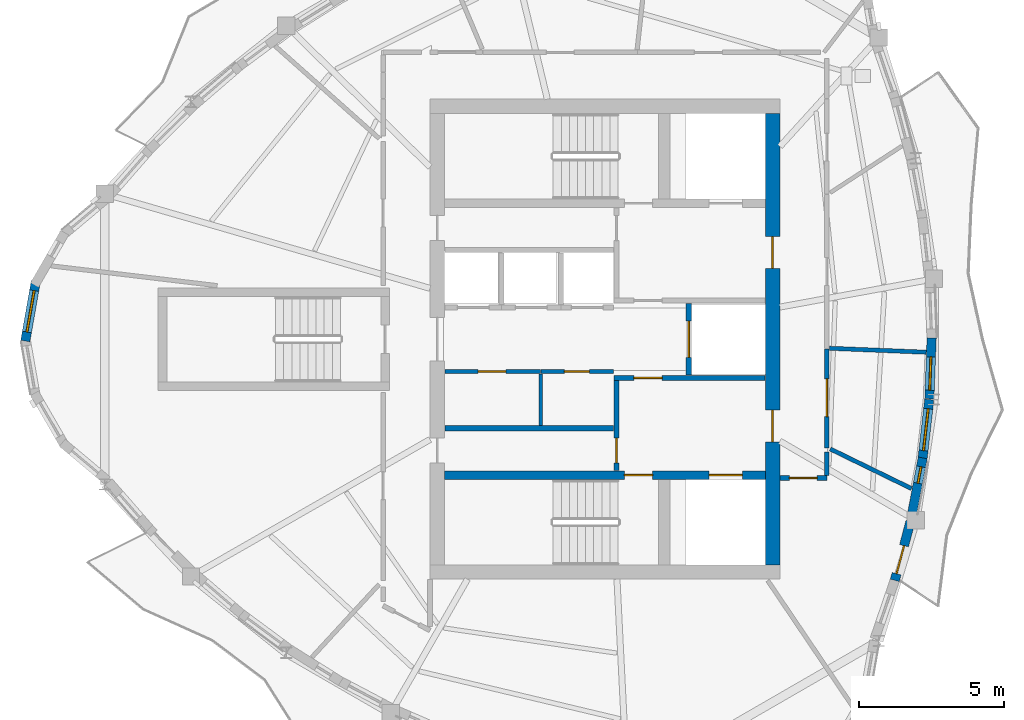
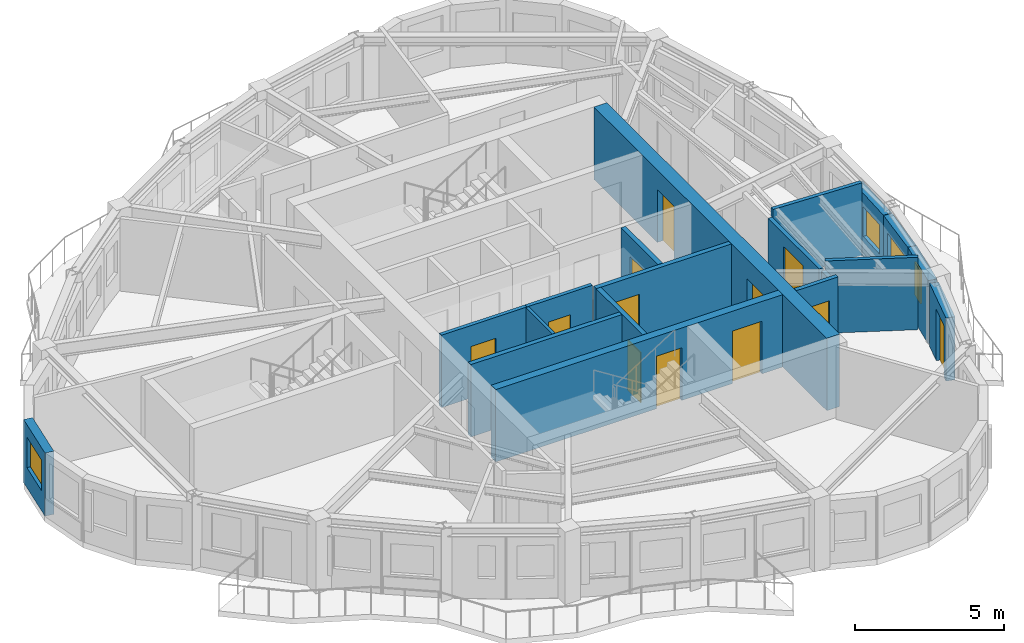
# One storey, part 4 of 11: 19 walls, 12 doors, 4 windows, 16 openings.
"""IFC4 building model written with IfcOpenShell, lengths in metres."""

from ifc_helpers import new_model, si_unit, direction, frame, frame_2d, origin, place, context, subcontext, project, spatial, rectangle, extrude, source, transform, mapped, material, layer, layer_set, type_object, element, fill, save


model = new_model("IFC4")

# Units and contexts
model_context = context("Model", 3, precision=1e-05, world=origin(), true_north=direction((0.0, 1.0)))
body_context = subcontext(model_context, "Body", "Model", "MODEL_VIEW")
ifc_project = project(units=[si_unit("LENGTHUNIT", "METRE"), si_unit("AREAUNIT", "SQUARE_METRE"), si_unit("VOLUMEUNIT", "CUBIC_METRE"), si_unit("PLANEANGLEUNIT", "RADIAN"), si_unit("MASSUNIT", "GRAM", prefix="KILO")], contexts=[model_context])

# Site, building, storey
site_placement = place(None, origin())
site = spatial("IfcSite", under=ifc_project, at=site_placement, CompositionType="ELEMENT")
building_placement = place(site_placement, origin())
building = spatial("IfcBuilding", under=site, at=building_placement, Name="Qafzar Sky-Pleat Residences", CompositionType="ELEMENT")
storey_placement = place(building_placement, frame((0.0, 0.0, 227.60009765625)))
storey = spatial("IfcBuildingStorey", under=building, at=storey_placement, Name="L68", CompositionType="ELEMENT", Elevation=227.60009765625)

# Wall, opening, door
ifc_material_1 = material(Name="Acoustic gypsum plasterboard partition", Category="gypsum")
ifc_layer_1 = layer(ifc_material_1, 0.159912109375)
ifc_layer_set_1 = layer_set([ifc_layer_1], Name="Acoustic gypsum plasterboard partition")
wall_type_1 = type_object("IfcWallType", Name="PART-COR-160", PredefinedType="PARTITIONING", material=ifc_layer_set_1)
wall_1_placement = place(storey_placement, frame((38.02001953125, 25.658935546875, 0.0), z_axis=(0.0, 0.0, 1.0), x_axis=(0.0, -1.0, 0.0)))
wall_1 = element("IfcWall", 1, at=wall_1_placement, inside=storey, type_object=wall_type_1, Name="L68 Partition Wall PART-L68-PW-006", PredefinedType="PARTITIONING", context=body_context, shape_type="SweptSolid", body=[
    extrude(rectangle(XDim=3.413818359375, YDim=0.159912109375, at=frame_2d((1.70703125, 0.0))), origin(), (0.0, 0.0, 1.0), 2.6279296875),
])
opening_1_placement = place(wall_1_placement, frame((1.033447265625, 0.0, 0.0)))
opening_1 = element("IfcOpeningElement", 2, at=opening_1_placement, cuts=wall_1, Name="Opening ID-05", PredefinedType="OPENING", context=body_context, shape_type="SweptSolid", body=[
    extrude(rectangle(XDim=1.300048828125, YDim=2.10009765625, at=frame_2d((0.64990234375, 1.050048828125))), frame((0.0, 0.08984375, 0.0), z_axis=(0.0, -1.0, 0.0), x_axis=(1.0, 0.0, 0.0)), (0.0, 0.0, 1.0), 0.179931640625),
])
ifc_material_2 = material(Name="Timber-faced fire door", Category="wood")
door_type_1 = type_object("IfcDoorType", Name="DR-LNG-1300", OperationType="DOUBLE_DOOR_SINGLE_SWING", PredefinedType="DOOR", material=ifc_material_2)
shared_shape_1 = source(origin(), body_context, "Body", "SweptSolid", [
    extrude(rectangle(XDim=1.300048828125, YDim=2.10009765625, at=frame_2d((0.64990234375, 1.050048828125))), frame((0.0, 0.02490234375, 0.0), z_axis=(0.0, -1.0, 0.0), x_axis=(1.0, 0.0, 0.0)), (0.0, 0.0, 1.0), 0.050048828125),
])
door_1_placement = place(opening_1_placement, origin())
door_1 = element("IfcDoor", 3, at=door_1_placement, inside=storey, type_object=door_type_1, Name="L68 Communal Kitchen Door", OperationType="DOUBLE_DOOR_SINGLE_SWING", OverallHeight=2.10009765625, OverallWidth=1.300048828125, PredefinedType="DOOR", context=body_context, shape_type="MappedRepresentation", body=[
    mapped(shared_shape_1, transform((0.0, 0.0, 0.0), x_axis=(1.0, 0.0, 0.0), y_axis=(0.0, 1.0, 0.0), z_axis=(0.0, 0.0, 1.0), scale=1.0)),
])
fill(opening_1, door_1)

wall_2_placement = place(storey_placement, frame((38.02001953125, 21.199951171875, 0.0), z_axis=(0.0, 0.0, 1.0), x_axis=(-1.0, 0.0, 0.0)))
wall_2 = element("IfcWall", 4, at=wall_2_placement, inside=storey, type_object=wall_type_1, Name="L68 Partition Wall PART-L68-PW-010", PredefinedType="PARTITIONING", context=body_context, shape_type="SweptSolid", body=[
    extrude(rectangle(XDim=1.612060546875, YDim=0.159912109375, at=frame_2d((0.80615234375, 0.0))), origin(), (0.0, 0.0, 1.0), 2.9599609375),
])
opening_2_placement = place(wall_2_placement, frame((0.330078125, 0.0, 0.0)))
opening_2 = element("IfcOpeningElement", 5, at=opening_2_placement, cuts=wall_2, Name="Opening ID-06", PredefinedType="OPENING", context=body_context, shape_type="SweptSolid", body=[
    extrude(rectangle(XDim=0.9599609375, YDim=2.10009765625, at=frame_2d((0.47998046875, 1.050048828125))), frame((0.0, 0.08984375, 0.0), z_axis=(0.0, -1.0, 0.0), x_axis=(1.0, 0.0, 0.0)), (0.0, 0.0, 1.0), 0.179931640625),
])
door_type_2 = type_object("IfcDoorType", Name="DR-STD-960", OperationType="NOTDEFINED", PredefinedType="DOOR", material=ifc_material_2)
shared_shape_2 = source(origin(), body_context, "Body", "SweptSolid", [
    extrude(rectangle(XDim=0.9599609375, YDim=2.10009765625, at=frame_2d((0.47998046875, 1.050048828125))), frame((0.0, 0.02490234375, 0.0), z_axis=(0.0, -1.0, 0.0), x_axis=(1.0, 0.0, 0.0)), (0.0, 0.0, 1.0), 0.050048828125),
])
door_2_placement = place(opening_2_placement, origin())
door_2 = element("IfcDoor", 6, at=door_2_placement, inside=storey, type_object=door_type_2, Name="L68 Quiet Prayer Room Door", OperationType="SINGLE_SWING_LEFT", OverallHeight=2.10009765625, OverallWidth=0.9599609375, PredefinedType="DOOR", context=body_context, shape_type="MappedRepresentation", body=[
    mapped(shared_shape_2, transform((0.0, 0.0, 0.0), x_axis=(1.0, 0.0, 0.0), y_axis=(0.0, 1.0, 0.0), z_axis=(0.0, 0.0, 1.0), scale=1.0)),
])
fill(opening_2, door_2)

# Wall
wall_3_placement = place(storey_placement, frame((38.02001953125, 21.2880859375, 0.0), z_axis=(0.0, 0.0, 1.0), x_axis=(0.0, 1.0, 0.0)))
element("IfcWall", 7, at=wall_3_placement, inside=storey, type_object=wall_type_1, Name="L68 Partition Wall PART-L68-PW-026", PredefinedType="PARTITIONING", context=body_context, shape_type="SweptSolid", body=[
    extrude(rectangle(XDim=0.814208984375, YDim=0.159912109375, at=frame_2d((0.4072265625, 0.0))), origin(), (0.0, 0.0, 1.0), 2.6279296875),
])

# Wall, opening, door
ifc_material_3 = material(Name="Concrete blockwork partition", Category="masonry")
ifc_layer_2 = layer(ifc_material_3, 0.179931640625)
ifc_layer_set_2 = layer_set([ifc_layer_2], Name="Concrete blockwork partition")
wall_type_2 = type_object("IfcWallType", Name="PART-SHAFT-180", PredefinedType="PARTITIONING", material=ifc_layer_set_2)
wall_4_placement = place(storey_placement, frame((30.75, 21.4599609375, 0.0), z_axis=(0.0, 0.0, 1.0), x_axis=(0.0, 1.0, 0.0)))
wall_4 = element("IfcWall", 8, at=wall_4_placement, inside=storey, type_object=wall_type_2, Name="L68 Partition Wall PART-L68-FFL1-W", PredefinedType="PARTITIONING", context=body_context, shape_type="SweptSolid", body=[
    extrude(rectangle(XDim=3.110107421875, YDim=0.179931640625, at=frame_2d((1.55517578125, 0.0))), origin(), (0.0, 0.0, 1.0), 2.9599609375),
])
opening_3_placement = place(wall_4_placement, frame((0.260009765625, 0.0, 0.0)))
opening_3 = element("IfcOpeningElement", 9, at=opening_3_placement, cuts=wall_4, Name="Opening ID-09", PredefinedType="OPENING", context=body_context, shape_type="SweptSolid", body=[
    extrude(rectangle(XDim=0.860107421875, YDim=2.050048828125, at=frame_2d((0.43017578125, 1.02490234375))), frame((0.0, 0.10009765625, 0.0), z_axis=(0.0, -1.0, 0.0), x_axis=(1.0, 0.0, 0.0)), (0.0, 0.0, 1.0), 0.199951171875),
])
door_type_3 = type_object("IfcDoorType", Name="DR-SVC-860", OperationType="NOTDEFINED", PredefinedType="DOOR", material=ifc_material_2)
shared_shape_3 = source(origin(), body_context, "Body", "SweptSolid", [
    extrude(rectangle(XDim=0.860107421875, YDim=2.050048828125, at=frame_2d((0.43017578125, 1.02490234375))), frame((0.0, 0.02490234375, 0.0), z_axis=(0.0, -1.0, 0.0), x_axis=(1.0, 0.0, 0.0)), (0.0, 0.0, 1.0), 0.050048828125),
])
door_3_placement = place(opening_3_placement, origin())
door_3 = element("IfcDoor", 10, at=door_3_placement, inside=storey, type_object=door_type_3, Name="L68 South Core Cupboard Door", OperationType="SINGLE_SWING_RIGHT", OverallHeight=2.050048828125, OverallWidth=0.860107421875, PredefinedType="DOOR", context=body_context, shape_type="MappedRepresentation", body=[
    mapped(shared_shape_3, transform((0.0, 0.0, 0.0), x_axis=(1.0, 0.0, 0.0), y_axis=(0.0, 1.0, 0.0), z_axis=(0.0, 0.0, 1.0), scale=1.0)),
])
fill(opening_3, door_3)

wall_5_placement = place(storey_placement, frame((30.669921875, 24.659912109375, 0.0), z_axis=(0.0, 0.0, 1.0), x_axis=(1.0, 0.0, 0.0)))
wall_5 = element("IfcWall", 11, at=wall_5_placement, inside=storey, type_object=wall_type_2, Name="L68 Partition Wall PART-L68-FFL1-N", PredefinedType="PARTITIONING", context=body_context, shape_type="SweptSolid", body=[
    extrude(rectangle(XDim=5.219970703125, YDim=0.179931640625, at=frame_2d((2.60986328125, 0.0))), origin(), (0.0, 0.0, 1.0), 2.9599609375),
])
opening_4_placement = place(wall_5_placement, frame((0.679931640625, 0.0, 0.0)))
opening_4 = element("IfcOpeningElement", 12, at=opening_4_placement, cuts=wall_5, Name="Opening ID-01", PredefinedType="OPENING", context=body_context, shape_type="SweptSolid", body=[
    extrude(rectangle(XDim=0.97998046875, YDim=2.14990234375, at=frame_2d((0.489990234375, 1.074951171875))), frame((0.0, 0.10009765625, 0.0), z_axis=(0.0, -1.0, 0.0), x_axis=(1.0, 0.0, 0.0)), (0.0, 0.0, 1.0), 0.199951171875),
])
door_type_4 = type_object("IfcDoorType", Name="DR-STAIR-980", OperationType="NOTDEFINED", PredefinedType="DOOR", material=ifc_material_2)
shared_shape_4 = source(origin(), body_context, "Body", "SweptSolid", [
    extrude(rectangle(XDim=0.97998046875, YDim=2.14990234375, at=frame_2d((0.489990234375, 1.074951171875))), frame((0.0, 0.02490234375, 0.0), z_axis=(0.0, -1.0, 0.0), x_axis=(1.0, 0.0, 0.0)), (0.0, 0.0, 1.0), 0.050048828125),
])
door_4_placement = place(opening_4_placement, origin())
door_4 = element("IfcDoor", 13, at=door_4_placement, inside=storey, type_object=door_type_4, Name="L68 Lift Lobby to South Firefighting Lobby Door", OperationType="SINGLE_SWING_LEFT", OverallHeight=2.14990234375, OverallWidth=0.97998046875, PredefinedType="DOOR", context=body_context, shape_type="MappedRepresentation", body=[
    mapped(shared_shape_4, transform((0.0, 0.0, 0.0), x_axis=(1.0, 0.0, 0.0), y_axis=(0.0, 1.0, 0.0), z_axis=(0.0, 0.0, 1.0), scale=1.0)),
])
fill(opening_4, door_4)

wall_6_placement = place(storey_placement, frame((33.25, 24.760009765625, 0.0), z_axis=(0.0, 0.0, 1.0), x_axis=(0.0, 1.0, 0.0)))
wall_6 = element("IfcWall", 14, at=wall_6_placement, inside=storey, type_object=wall_type_2, Name="L68 Partition Wall PART-L68-SV1-W", PredefinedType="PARTITIONING", context=body_context, shape_type="SweptSolid", body=[
    extrude(rectangle(XDim=2.47998046875, YDim=0.179931640625, at=frame_2d((1.239990234375, 0.0))), origin(), (0.0, 0.0, 1.0), 2.9599609375),
])
opening_5_placement = place(wall_6_placement, frame((0.614990234375, 0.0, 0.0)))
opening_5 = element("IfcOpeningElement", 15, at=opening_5_placement, cuts=wall_6, Name="Opening LD-03", PredefinedType="OPENING", context=body_context, shape_type="SweptSolid", body=[
    extrude(rectangle(XDim=1.25, YDim=2.14990234375, at=frame_2d((0.625, 1.074951171875))), frame((0.0, 0.10009765625, 0.0), z_axis=(0.0, -1.0, 0.0), x_axis=(1.0, 0.0, 0.0)), (0.0, 0.0, 1.0), 0.199951171875),
])
ifc_material_4 = material(Name="Stainless steel sliding landing door", Category="steel")
door_type_5 = type_object("IfcDoorType", Name="DR-LIFT-SV", OperationType="DOUBLE_DOOR_SLIDING", PredefinedType="DOOR", material=ifc_material_4)
shared_shape_5 = source(origin(), body_context, "Body", "SweptSolid", [
    extrude(rectangle(XDim=1.25, YDim=2.14990234375, at=frame_2d((0.625, 1.074951171875))), frame((0.0, 0.02490234375, 0.0), z_axis=(0.0, -1.0, 0.0), x_axis=(1.0, 0.0, 0.0)), (0.0, 0.0, 1.0), 0.050048828125),
])
door_5_placement = place(opening_5_placement, origin())
door_5 = element("IfcDoor", 16, at=door_5_placement, inside=storey, type_object=door_type_5, Name="L68 Service Lift SV1 Landing Door", OperationType="DOUBLE_DOOR_SLIDING", OverallHeight=2.14990234375, OverallWidth=1.25, PredefinedType="DOOR", context=body_context, shape_type="MappedRepresentation", body=[
    mapped(shared_shape_5, transform((0.0, 0.0, 0.0), x_axis=(1.0, 0.0, 0.0), y_axis=(0.0, 1.0, 0.0), z_axis=(0.0, 0.0, 1.0), scale=1.0)),
])
fill(opening_5, door_5)

# Walls
wall_7_placement = place(storey_placement, frame((24.81005859375, 22.919921875, 0.0), z_axis=(0.0, 0.0, 1.0), x_axis=(1.0, 0.0, 0.0)))
element("IfcWall", 17, at=wall_7_placement, inside=storey, type_object=wall_type_2, Name="L68 Partition Wall PART-L68-P13-S", PredefinedType="PARTITIONING", context=body_context, shape_type="SweptSolid", body=[
    extrude(rectangle(XDim=5.83984375, YDim=0.179931640625, at=frame_2d((2.919921875, 0.0))), origin(), (0.0, 0.0, 1.0), 2.9599609375),
])
ifc_material_5 = material(Name="Gypsum plasterboard partition", Category="gypsum")
ifc_layer_3 = layer(ifc_material_5, 0.114990234375)
ifc_layer_set_3 = layer_set([ifc_layer_3], Name="Gypsum plasterboard partition")
wall_type_3 = type_object("IfcWallType", Name="PART-SVC-115", PredefinedType="PARTITIONING", material=ifc_layer_set_3)
wall_8_placement = place(storey_placement, frame((28.125, 23.02001953125, 0.0), z_axis=(0.0, 0.0, 1.0), x_axis=(0.0, 1.0, 0.0)))
element("IfcWall", 18, at=wall_8_placement, inside=storey, type_object=wall_type_3, Name="L68 Partition Wall PART-L68-RECLAIM-DIV", PredefinedType="PARTITIONING", context=body_context, shape_type="SweptSolid", body=[
    extrude(rectangle(XDim=1.77001953125, YDim=0.114990234375, at=frame_2d((0.885009765625, 0.0))), origin(), (0.0, 0.0, 1.0), 2.9599609375),
])

# Wall, opening, door
ifc_layer_4 = layer(ifc_material_1, 0.14501953125)
ifc_layer_set_4 = layer_set([ifc_layer_4], Name="Acoustic gypsum plasterboard partition")
wall_type_4 = type_object("IfcWallType", Name="PART-UNIT-145", PredefinedType="PARTITIONING", material=ifc_layer_set_4)
wall_9_placement = place(storey_placement, frame((24.81005859375, 24.8798828125, 0.0), z_axis=(0.0, 0.0, 1.0), x_axis=(1.0, 0.0, 0.0)))
wall_9 = element("IfcWall", 19, at=wall_9_placement, inside=storey, type_object=wall_type_4, Name="L68 Partition Wall PART-L68-RECLAIM-N1", PredefinedType="PARTITIONING", context=body_context, shape_type="SweptSolid", body=[
    extrude(rectangle(XDim=3.31005859375, YDim=0.14501953125, at=frame_2d((1.655029296875, 0.0))), origin(), (0.0, 0.0, 1.0), 2.9599609375),
])
opening_6_placement = place(wall_9_placement, frame((1.14990234375, 0.0, 0.0)))
opening_6 = element("IfcOpeningElement", 20, at=opening_6_placement, cuts=wall_9, Name="Opening ID-06", PredefinedType="OPENING", context=body_context, shape_type="SweptSolid", body=[
    extrude(rectangle(XDim=0.9599609375, YDim=2.10009765625, at=frame_2d((0.47998046875, 1.050048828125))), frame((0.0, 0.08251953125, 0.0), z_axis=(0.0, -1.0, 0.0), x_axis=(1.0, 0.0, 0.0)), (0.0, 0.0, 1.0), 0.1650390625),
])
door_6_placement = place(opening_6_placement, origin())
door_6 = element("IfcDoor", 21, at=door_6_placement, inside=storey, type_object=door_type_2, Name="L68 Reclaimed Quiet Study Room Door", OperationType="SINGLE_SWING_RIGHT", OverallHeight=2.10009765625, OverallWidth=0.9599609375, PredefinedType="DOOR", context=body_context, shape_type="MappedRepresentation", body=[
    mapped(shared_shape_2, transform((0.0, 0.0, 0.0), x_axis=(1.0, 0.0, 0.0), y_axis=(0.0, 1.0, 0.0), z_axis=(0.0, 0.0, 1.0), scale=1.0)),
])
fill(opening_6, door_6)

wall_10_placement = place(storey_placement, frame((28.1298828125, 24.8798828125, 0.0), z_axis=(0.0, 0.0, 1.0), x_axis=(1.0, 0.0, 0.0)))
wall_10 = element("IfcWall", 22, at=wall_10_placement, inside=storey, type_object=wall_type_4, Name="L68 Partition Wall PART-L68-RECLAIM-N2", PredefinedType="PARTITIONING", context=body_context, shape_type="SweptSolid", body=[
    extrude(rectangle(XDim=2.52001953125, YDim=0.14501953125, at=frame_2d((1.260009765625, 0.0))), origin(), (0.0, 0.0, 1.0), 2.9599609375),
])
opening_7_placement = place(wall_10_placement, frame((0.820068359375, 0.0, 0.0)))
opening_7 = element("IfcOpeningElement", 23, at=opening_7_placement, cuts=wall_10, Name="Opening ID-09", PredefinedType="OPENING", context=body_context, shape_type="SweptSolid", body=[
    extrude(rectangle(XDim=0.860107421875, YDim=2.050048828125, at=frame_2d((0.43017578125, 1.02490234375))), frame((0.0, 0.08251953125, 0.0), z_axis=(0.0, -1.0, 0.0), x_axis=(1.0, 0.0, 0.0)), (0.0, 0.0, 1.0), 0.1650390625),
])
door_7_placement = place(opening_7_placement, origin())
door_7 = element("IfcDoor", 24, at=door_7_placement, inside=storey, type_object=door_type_3, Name="L68 Reclaimed Linen Cupboard Door", OperationType="SINGLE_SWING_LEFT", OverallHeight=2.050048828125, OverallWidth=0.860107421875, PredefinedType="DOOR", context=body_context, shape_type="MappedRepresentation", body=[
    mapped(shared_shape_3, transform((0.0, 0.0, 0.0), x_axis=(1.0, 0.0, 0.0), y_axis=(0.0, 1.0, 0.0), z_axis=(0.0, 0.0, 1.0), scale=1.0)),
])
fill(opening_7, door_7)

# Walls
wall_11_placement = place(storey_placement, frame((38.11083984375, 25.685302734375, 0.0), z_axis=(0.0, 0.0, 1.0), x_axis=(0.999167325882, -0.040800182477, 0.0)))
element("IfcWall", 25, at=wall_11_placement, inside=storey, type_object=wall_type_4, Name="L68 Partition Wall PART-L68-PW-017", PredefinedType="PARTITIONING", context=body_context, shape_type="SweptSolid", body=[
    extrude(rectangle(XDim=3.350830078125, YDim=0.14501953125, at=frame_2d((1.67529296875, 0.0))), origin(), (0.0, 0.0, 1.0), 2.9599609375),
])
wall_12_placement = place(storey_placement, frame((38.138916015625, 22.2041015625, 0.0), z_axis=(0.0, 0.0, 1.0), x_axis=(0.898869860356, -0.43821567081, 0.0)))
element("IfcWall", 26, at=wall_12_placement, inside=storey, type_object=wall_type_4, Name="L68 Partition Wall PART-L68-PW-018", PredefinedType="PARTITIONING", context=body_context, shape_type="SweptSolid", body=[
    extrude(rectangle(XDim=3.122802734375, YDim=0.14501953125, at=frame_2d((1.5615234375, 0.0))), origin(), (0.0, 0.0, 1.0), 2.9599609375),
])

# Wall, opening, window
ifc_material_6 = material(Name="Precast concrete C40/50 with honed Riyadh limestone", Category="concrete")
ifc_layer_5 = layer(ifc_material_6, 0.320068359375)
ifc_layer_set_5 = layer_set([ifc_layer_5], Name="Precast concrete C40/50 with honed Riyadh limestone")
wall_type_5 = type_object("IfcWallType", Name="WALL-EXT-320", PredefinedType="SOLIDWALL", material=ifc_layer_set_5)
wall_13_placement = place(storey_placement, frame((10.6689453125, 27.993408203125, 0.0), z_axis=(0.0, 0.0, 1.0), x_axis=(-0.173672066494, -0.984803540469, 0.0)))
wall_13 = element("IfcWall", 27, at=wall_13_placement, inside=storey, type_object=wall_type_5, Name="L68 Limestone Facade Wall 3", PredefinedType="SOLIDWALL", context=body_context, shape_type="SweptSolid", body=[
    extrude(rectangle(XDim=2.09033203125, YDim=0.320068359375, at=frame_2d((1.045166015625, 0.0))), origin(), (0.0, 0.0, 1.0), 2.579833984375),
])
opening_8_placement = place(wall_13_placement, frame((0.3203125, 0.0, 0.820068359375)))
opening_8 = element("IfcOpeningElement", 28, at=opening_8_placement, cuts=wall_13, Name="Opening WN-15", PredefinedType="OPENING", context=body_context, shape_type="SweptSolid", body=[
    extrude(rectangle(XDim=1.449951171875, YDim=1.25, at=frame_2d((0.72509765625, 0.625))), frame((0.0, 0.169921875, 0.0), z_axis=(0.0, -1.0, 0.0), x_axis=(1.0, 0.0, 0.0)), (0.0, 0.0, 1.0), 0.340087890625),
])
ifc_material_7 = material(Name="Solar-control low-E glass in bronze aluminium frame", Category="glass")
window_type_1 = type_object("IfcWindowType", Name="WIN-15", PartitioningType="SINGLE_PANEL", PredefinedType="WINDOW", material=ifc_material_7)
shared_shape_6 = source(origin(), body_context, "Body", "SweptSolid", [
    extrude(rectangle(XDim=1.449951171875, YDim=1.25, at=frame_2d((0.72509765625, 0.625))), frame((0.0, 0.030029296875, 0.0), z_axis=(0.0, -1.0, 0.0), x_axis=(1.0, 0.0, 0.0)), (0.0, 0.0, 1.0), 0.06005859375),
])
window_1_placement = place(opening_8_placement, origin())
window_1 = element("IfcWindow", 29, at=window_1_placement, inside=storey, type_object=window_type_1, Name="L68 Punched Facade Window 03", OverallHeight=1.25, OverallWidth=1.449951171875, PartitioningType="SINGLE_PANEL", PredefinedType="WINDOW", context=body_context, shape_type="MappedRepresentation", body=[
    mapped(shared_shape_6, transform((0.0, 0.0, 0.0), x_axis=(1.0, 0.0, 0.0), y_axis=(0.0, 1.0, 0.0), z_axis=(0.0, 0.0, 1.0), scale=1.0)),
])
fill(opening_8, window_1)

# Wall, opening, door
wall_14_placement = place(storey_placement, frame((40.37158203125, 17.659423828125, 0.0), z_axis=(0.0, 0.0, 1.0), x_axis=(0.2570422776, 0.966400159109, 0.0)))
wall_14 = element("IfcWall", 30, at=wall_14_placement, inside=storey, type_object=wall_type_5, Name="L68 Limestone Facade Wall 24", PredefinedType="SOLIDWALL", context=body_context, shape_type="SweptSolid", body=[
    extrude(rectangle(XDim=2.106689453125, YDim=0.320068359375, at=frame_2d((1.05322265625, 0.0))), origin(), (0.0, 0.0, 1.0), 2.579833984375),
])
opening_9_placement = place(wall_14_placement, frame((0.239990234375, 0.0, 0.0)))
opening_9 = element("IfcOpeningElement", 31, at=opening_9_placement, cuts=wall_14, Name="Opening ED-05", PredefinedType="OPENING", context=body_context, shape_type="SweptSolid", body=[
    extrude(rectangle(XDim=1.0, YDim=2.10009765625, at=frame_2d((0.5, 1.050048828125))), frame((0.0, 0.169921875, 0.0), z_axis=(0.0, -1.0, 0.0), x_axis=(1.0, 0.0, 0.0)), (0.0, 0.0, 1.0), 0.340087890625),
])
ifc_material_8 = material(Name="Glazed bronze aluminium door", Category="aluminium")
door_type_6 = type_object("IfcDoorType", Name="DR-BAL-1000", OperationType="NOTDEFINED", PredefinedType="DOOR", material=ifc_material_8)
shared_shape_7 = source(origin(), body_context, "Body", "SweptSolid", [
    extrude(rectangle(XDim=1.0, YDim=2.10009765625, at=frame_2d((0.5, 1.050048828125))), frame((0.0, 0.02490234375, 0.0), z_axis=(0.0, -1.0, 0.0), x_axis=(1.0, 0.0, 0.0)), (0.0, 0.0, 1.0), 0.050048828125),
])
door_8_placement = place(opening_9_placement, origin())
door_8 = element("IfcDoor", 32, at=door_8_placement, inside=storey, type_object=door_type_6, Name="L68 Glazed Balcony Door 1", OperationType="SINGLE_SWING_LEFT", OverallHeight=2.10009765625, OverallWidth=1.0, PredefinedType="DOOR", context=body_context, shape_type="MappedRepresentation", body=[
    mapped(shared_shape_7, transform((0.0, 0.0, 0.0), x_axis=(1.0, 0.0, 0.0), y_axis=(0.0, 1.0, 0.0), z_axis=(0.0, 0.0, 1.0), scale=1.0)),
])
fill(opening_9, door_8)

# Wall, opening, window
wall_15_placement = place(storey_placement, frame((40.950439453125, 19.859619140625, 0.0), z_axis=(0.0, 0.0, 1.0), x_axis=(0.18667884524, 0.982420993638, 0.0)))
wall_15 = element("IfcWall", 33, at=wall_15_placement, inside=storey, type_object=wall_type_5, Name="L68 Limestone Facade Wall 25", PredefinedType="SOLIDWALL", context=body_context, shape_type="SweptSolid", body=[
    extrude(rectangle(XDim=2.071533203125, YDim=0.320068359375, at=frame_2d((1.03564453125, 0.0))), origin(), (0.0, 0.0, 1.0), 2.579833984375),
])
opening_10_placement = place(wall_15_placement, frame((1.179931640625, 0.0, 0.820068359375)))
opening_10 = element("IfcOpeningElement", 34, at=opening_10_placement, cuts=wall_15, Name="Opening WN-17", PredefinedType="OPENING", context=body_context, shape_type="SweptSolid", body=[
    extrude(rectangle(XDim=0.580078125, YDim=1.35009765625, at=frame_2d((0.2900390625, 0.675048828125))), frame((0.0, 0.169921875, 0.0), z_axis=(0.0, -1.0, 0.0), x_axis=(1.0, 0.0, 0.0)), (0.0, 0.0, 1.0), 0.340087890625),
])
window_type_2 = type_object("IfcWindowType", Name="WIN-17", PartitioningType="SINGLE_PANEL", PredefinedType="WINDOW", material=ifc_material_7)
shared_shape_8 = source(origin(), body_context, "Body", "SweptSolid", [
    extrude(rectangle(XDim=0.580078125, YDim=1.35009765625, at=frame_2d((0.2900390625, 0.675048828125))), frame((0.0, 0.030029296875, 0.0), z_axis=(0.0, -1.0, 0.0), x_axis=(1.0, 0.0, 0.0)), (0.0, 0.0, 1.0), 0.06005859375),
])
window_2_placement = place(opening_10_placement, origin())
window_2 = element("IfcWindow", 35, at=window_2_placement, inside=storey, type_object=window_type_2, Name="L68 Punched Facade Window 25-2", OverallHeight=1.35009765625, OverallWidth=0.580078125, PartitioningType="SINGLE_PANEL", PredefinedType="WINDOW", context=body_context, shape_type="MappedRepresentation", body=[
    mapped(shared_shape_8, transform((0.0, 0.0, 0.0), x_axis=(1.0, 0.0, 0.0), y_axis=(0.0, 1.0, 0.0), z_axis=(0.0, 0.0, 1.0), scale=1.0)),
])
fill(opening_10, window_2)

wall_16_placement = place(storey_placement, frame((41.323974609375, 21.807861328125, 0.0), z_axis=(0.0, 0.0, 1.0), x_axis=(0.113315758547, 0.993559026362, 0.0)))
wall_16 = element("IfcWall", 36, at=wall_16_placement, inside=storey, type_object=wall_type_5, Name="L68 Limestone Facade Wall 26", PredefinedType="SOLIDWALL", context=body_context, shape_type="SweptSolid", body=[
    extrude(rectangle(XDim=2.117919921875, YDim=0.320068359375, at=frame_2d((1.05908203125, 0.0))), origin(), (0.0, 0.0, 1.0), 2.579833984375),
])
opening_11_placement = place(wall_16_placement, frame((0.343994140625, 0.0, 0.820068359375)))
opening_11 = element("IfcOpeningElement", 37, at=opening_11_placement, cuts=wall_16, Name="Opening WN-15", PredefinedType="OPENING", context=body_context, shape_type="SweptSolid", body=[
    extrude(rectangle(XDim=1.449951171875, YDim=1.25, at=frame_2d((0.72509765625, 0.625))), frame((0.0, 0.169921875, 0.0), z_axis=(0.0, -1.0, 0.0), x_axis=(1.0, 0.0, 0.0)), (0.0, 0.0, 1.0), 0.340087890625),
])
window_3_placement = place(opening_11_placement, origin())
window_3 = element("IfcWindow", 38, at=window_3_placement, inside=storey, type_object=window_type_1, Name="L68 Punched Facade Window 26", OverallHeight=1.25, OverallWidth=1.449951171875, PartitioningType="SINGLE_PANEL", PredefinedType="WINDOW", context=body_context, shape_type="MappedRepresentation", body=[
    mapped(shared_shape_6, transform((0.0, 0.0, 0.0), x_axis=(1.0, 0.0, 0.0), y_axis=(0.0, 1.0, 0.0), z_axis=(0.0, 0.0, 1.0), scale=1.0)),
])
fill(opening_11, window_3)

wall_17_placement = place(storey_placement, frame((41.566162109375, 23.939697265625, 0.0), z_axis=(0.0, 0.0, 1.0), x_axis=(0.037912160544, 0.999281075615, 0.0)))
wall_17 = element("IfcWall", 39, at=wall_17_placement, inside=storey, type_object=wall_type_5, Name="L68 Limestone Facade Wall 27", PredefinedType="SOLIDWALL", context=body_context, shape_type="SweptSolid", body=[
    extrude(rectangle(XDim=2.105712890625, YDim=0.320068359375, at=frame_2d((1.052734375, 0.0))), origin(), (0.0, 0.0, 1.0), 2.579833984375),
])
opening_12_placement = place(wall_17_placement, frame((0.296875, 0.0, 0.820068359375)))
opening_12 = element("IfcOpeningElement", 40, at=opening_12_placement, cuts=wall_17, Name="Opening WN-16", PredefinedType="OPENING", context=body_context, shape_type="SweptSolid", body=[
    extrude(rectangle(XDim=1.14990234375, YDim=1.199951171875, at=frame_2d((0.574951171875, 0.60009765625))), frame((0.0, 0.169921875, 0.0), z_axis=(0.0, -1.0, 0.0), x_axis=(1.0, 0.0, 0.0)), (0.0, 0.0, 1.0), 0.340087890625),
])
window_type_3 = type_object("IfcWindowType", Name="WIN-16", PartitioningType="SINGLE_PANEL", PredefinedType="WINDOW", material=ifc_material_7)
shared_shape_9 = source(origin(), body_context, "Body", "SweptSolid", [
    extrude(rectangle(XDim=1.14990234375, YDim=1.199951171875, at=frame_2d((0.574951171875, 0.60009765625))), frame((0.0, 0.030029296875, 0.0), z_axis=(0.0, -1.0, 0.0), x_axis=(1.0, 0.0, 0.0)), (0.0, 0.0, 1.0), 0.06005859375),
])
window_4_placement = place(opening_12_placement, origin())
window_4 = element("IfcWindow", 41, at=window_4_placement, inside=storey, type_object=window_type_3, Name="L68 Punched Facade Window 27", OverallHeight=1.199951171875, OverallWidth=1.14990234375, PartitioningType="SINGLE_PANEL", PredefinedType="WINDOW", context=body_context, shape_type="MappedRepresentation", body=[
    mapped(shared_shape_9, transform((0.0, 0.0, 0.0), x_axis=(1.0, 0.0, 0.0), y_axis=(0.0, 1.0, 0.0), z_axis=(0.0, 0.0, 1.0), scale=1.0)),
])
fill(opening_12, window_4)

# Wall, openings, doors
ifc_material_9 = material(Name="Concrete C60/75", Category="concrete")
ifc_layer_6 = layer(ifc_material_9, 0.300048828125)
ifc_layer_set_6 = layer_set([ifc_layer_6], Name="Concrete C60/75")
wall_type_6 = type_object("IfcWallType", Name="WALL-SHEAR-300", PredefinedType="SHEAR", material=ifc_layer_set_6)
wall_18_placement = place(storey_placement, frame((24.800048828125, 21.300048828125, 0.0), z_axis=(0.0, 0.0, 1.0), x_axis=(1.0, 0.0, 0.0)))
wall_18 = element("IfcWall", 42, at=wall_18_placement, inside=storey, type_object=wall_type_6, Name="L68 Stair ST1 and FF1 Shaft North Wall", PredefinedType="SHEAR", context=body_context, shape_type="SweptSolid", body=[
    extrude(rectangle(XDim=11.099853515625, YDim=0.300048828125, at=frame_2d((5.5498046875, 0.0))), origin(), (0.0, 0.0, 1.0), 2.9599609375),
])
opening_13_placement = place(wall_18_placement, frame((6.219970703125, 0.0, 0.0)))
opening_13 = element("IfcOpeningElement", 43, at=opening_13_placement, cuts=wall_18, Name="Opening ID-01", PredefinedType="OPENING", context=body_context, shape_type="SweptSolid", body=[
    extrude(rectangle(XDim=0.97998046875, YDim=2.14990234375, at=frame_2d((0.489990234375, 1.074951171875))), frame((0.0, 0.16015625, 0.0), z_axis=(0.0, -1.0, 0.0), x_axis=(1.0, 0.0, 0.0)), (0.0, 0.0, 1.0), 0.320068359375),
])
opening_14_placement = place(wall_18_placement, frame((9.14990234375, 0.0, 0.0)))
opening_14 = element("IfcOpeningElement", 44, at=opening_14_placement, cuts=wall_18, Name="Opening LD-02", PredefinedType="OPENING", context=body_context, shape_type="SweptSolid", body=[
    extrude(rectangle(XDim=1.14990234375, YDim=2.14990234375, at=frame_2d((0.574951171875, 1.074951171875))), frame((0.0, 0.16015625, 0.0), z_axis=(0.0, -1.0, 0.0), x_axis=(1.0, 0.0, 0.0)), (0.0, 0.0, 1.0), 0.320068359375),
])
door_9_placement = place(opening_13_placement, origin())
door_9 = element("IfcDoor", 45, at=door_9_placement, inside=storey, type_object=door_type_4, Name="L68 Stair ST1 Fire Door", OperationType="SINGLE_SWING_LEFT", OverallHeight=2.14990234375, OverallWidth=0.97998046875, PredefinedType="DOOR", context=body_context, shape_type="MappedRepresentation", body=[
    mapped(shared_shape_4, transform((0.0, 0.0, 0.0), x_axis=(1.0, 0.0, 0.0), y_axis=(0.0, 1.0, 0.0), z_axis=(0.0, 0.0, 1.0), scale=1.0)),
])
fill(opening_13, door_9)
door_type_7 = type_object("IfcDoorType", Name="DR-LIFT-FF", OperationType="DOUBLE_DOOR_SLIDING", PredefinedType="DOOR", material=ifc_material_4)
shared_shape_10 = source(origin(), body_context, "Body", "SweptSolid", [
    extrude(rectangle(XDim=1.14990234375, YDim=2.14990234375, at=frame_2d((0.574951171875, 1.074951171875))), frame((0.0, 0.02490234375, 0.0), z_axis=(0.0, -1.0, 0.0), x_axis=(1.0, 0.0, 0.0)), (0.0, 0.0, 1.0), 0.050048828125),
])
door_10_placement = place(opening_14_placement, origin())
door_10 = element("IfcDoor", 46, at=door_10_placement, inside=storey, type_object=door_type_7, Name="L68 Firefighting Lift FF1 Landing Door", OperationType="DOUBLE_DOOR_SLIDING", OverallHeight=2.14990234375, OverallWidth=1.14990234375, PredefinedType="DOOR", context=body_context, shape_type="MappedRepresentation", body=[
    mapped(shared_shape_10, transform((0.0, 0.0, 0.0), x_axis=(1.0, 0.0, 0.0), y_axis=(0.0, 1.0, 0.0), z_axis=(0.0, 0.0, 1.0), scale=1.0)),
])
fill(opening_14, door_10)

ifc_layer_7 = layer(ifc_material_9, 0.5)
ifc_layer_set_7 = layer_set([ifc_layer_7], Name="Concrete C60/75")
wall_type_7 = type_object("IfcWallType", Name="WALL-SHEAR-500", PredefinedType="SHEAR", material=ifc_layer_set_7)
wall_19_placement = place(storey_placement, frame((36.14990234375, 18.199951171875, 0.0), z_axis=(0.0, 0.0, 1.0), x_axis=(0.0, 1.0, 0.0)))
wall_19 = element("IfcWall", 47, at=wall_19_placement, inside=storey, type_object=wall_type_7, Name="L68 CORE wall E", PredefinedType="SHEAR", context=body_context, shape_type="SweptSolid", body=[
    extrude(rectangle(XDim=15.60009765625, YDim=0.5, at=frame_2d((7.800048828125, 0.0))), origin(), (0.0, 0.0, 1.0), 2.9599609375),
])
opening_15_placement = place(wall_19_placement, frame((4.25, 0.0, 0.0)))
opening_15 = element("IfcOpeningElement", 48, at=opening_15_placement, cuts=wall_19, Name="Opening ID-02", PredefinedType="OPENING", context=body_context, shape_type="SweptSolid", body=[
    extrude(rectangle(XDim=1.10009765625, YDim=2.14990234375, at=frame_2d((0.550048828125, 1.074951171875))), frame((0.0, 0.260009765625, 0.0), z_axis=(0.0, -1.0, 0.0), x_axis=(1.0, 0.0, 0.0)), (0.0, 0.0, 1.0), 0.52001953125),
])
opening_16_placement = place(wall_19_placement, frame((10.25, 0.0, 0.0)))
opening_16 = element("IfcOpeningElement", 49, at=opening_16_placement, cuts=wall_19, Name="Opening ID-02", PredefinedType="OPENING", context=body_context, shape_type="SweptSolid", body=[
    extrude(rectangle(XDim=1.10009765625, YDim=2.14990234375, at=frame_2d((0.550048828125, 1.074951171875))), frame((0.0, 0.260009765625, 0.0), z_axis=(0.0, -1.0, 0.0), x_axis=(1.0, 0.0, 0.0)), (0.0, 0.0, 1.0), 0.52001953125),
])
door_type_8 = type_object("IfcDoorType", Name="DR-FFL-1100", OperationType="NOTDEFINED", PredefinedType="DOOR", material=ifc_material_2)
shared_shape_11 = source(origin(), body_context, "Body", "SweptSolid", [
    extrude(rectangle(XDim=1.10009765625, YDim=2.14990234375, at=frame_2d((0.550048828125, 1.074951171875))), frame((0.0, 0.02490234375, 0.0), z_axis=(0.0, -1.0, 0.0), x_axis=(1.0, 0.0, 0.0)), (0.0, 0.0, 1.0), 0.050048828125),
])
door_11_placement = place(opening_15_placement, origin())
door_11 = element("IfcDoor", 50, at=door_11_placement, inside=storey, type_object=door_type_8, Name="L68 Firefighting Lobby South Corridor Door", OperationType="SINGLE_SWING_RIGHT", OverallHeight=2.14990234375, OverallWidth=1.10009765625, PredefinedType="DOOR", context=body_context, shape_type="MappedRepresentation", body=[
    mapped(shared_shape_11, transform((0.0, 0.0, 0.0), x_axis=(1.0, 0.0, 0.0), y_axis=(0.0, 1.0, 0.0), z_axis=(0.0, 0.0, 1.0), scale=1.0)),
])
fill(opening_15, door_11)
door_12_placement = place(opening_16_placement, origin())
door_12 = element("IfcDoor", 51, at=door_12_placement, inside=storey, type_object=door_type_8, Name="L68 Firefighting Lobby North Corridor Door", OperationType="SINGLE_SWING_LEFT", OverallHeight=2.14990234375, OverallWidth=1.10009765625, PredefinedType="DOOR", context=body_context, shape_type="MappedRepresentation", body=[
    mapped(shared_shape_11, transform((0.0, 0.0, 0.0), x_axis=(1.0, 0.0, 0.0), y_axis=(0.0, 1.0, 0.0), z_axis=(0.0, 0.0, 1.0), scale=1.0)),
])
fill(opening_16, door_12)

save(model, "model.ifc")
